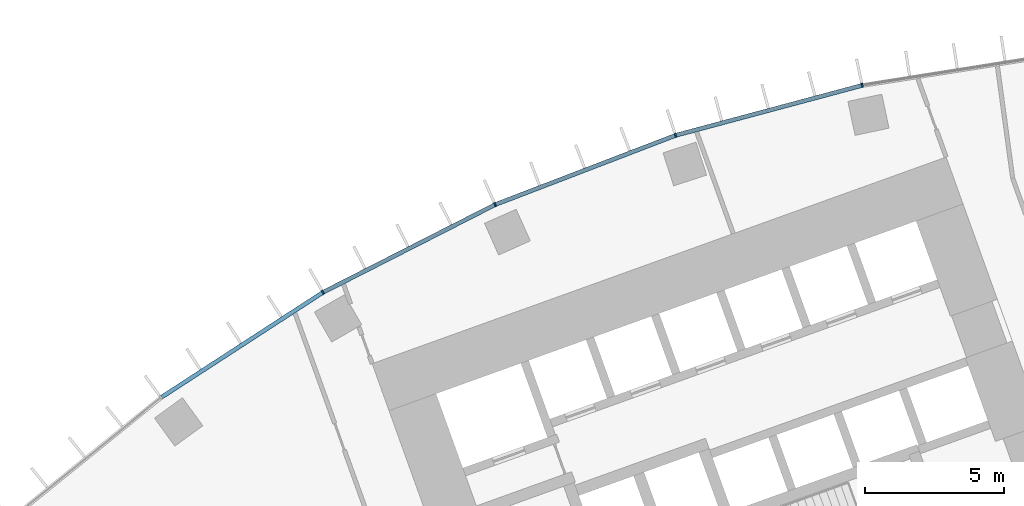
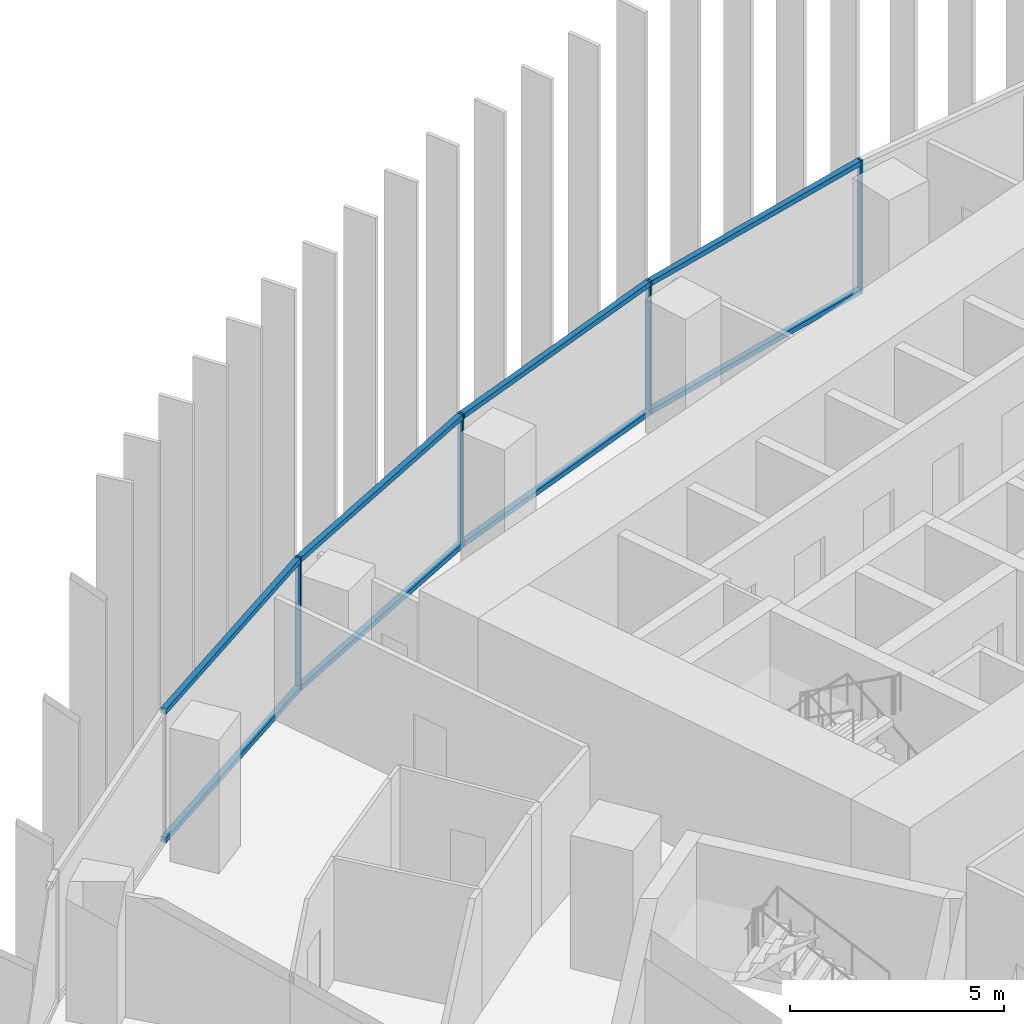
# One storey, part 7 of 24: 12 members, 1 element without a shape of its own.
"""IFC4 building model written with IfcOpenShell, lengths in metres."""

from ifc_helpers import new_model, si_unit, direction, frame, origin, origin_2d, place, context, subcontext, project, spatial, rectangle, extrude, material, layer, layer_set, material_profile, profile_set, type_object, element, aggregate, save


model = new_model("IFC4")

# Units and contexts
model_context = context("Model", 3, precision=1e-05, world=origin(), true_north=direction((0.0, 1.0)))
body_context = subcontext(model_context, "Body", "Model", "MODEL_VIEW")
ifc_project = project(units=[si_unit("LENGTHUNIT", "METRE"), si_unit("AREAUNIT", "SQUARE_METRE"), si_unit("VOLUMEUNIT", "CUBIC_METRE"), si_unit("PLANEANGLEUNIT", "RADIAN"), si_unit("MASSUNIT", "GRAM", prefix="KILO")], contexts=[model_context])

# Site, building, storey
site_placement = place(None, origin())
site = spatial("IfcSite", under=ifc_project, at=site_placement, CompositionType="ELEMENT")
building_placement = place(site_placement, origin())
building = spatial("IfcBuilding", under=site, at=building_placement, Name="Stone Belt Terrace Tower", CompositionType="ELEMENT")
storey_placement = place(building_placement, frame((0.0, 0.0, 41.39990234375)))
storey = spatial("IfcBuildingStorey", under=building, at=storey_placement, Name="L09", CompositionType="ELEMENT", Elevation=41.39990234375)

# Curtain wall, members
ifc_material = material(Name="Aluminium 6063-T6 anodised frame", Category="aluminium")
ifc_layer = layer(ifc_material, 0.14990234375)
ifc_layer_set = layer_set([ifc_layer], Name="CW-A unitised convex-face curtain wall")
curtain_wall_type = type_object("IfcCurtainWallType", Name="CW-A unitised convex-face curtain wall", PredefinedType="NOTDEFINED", material=ifc_layer_set)
curtain_wall_placement = place(storey_placement, origin())
curtain_wall = element("IfcCurtainWall", 1, at=curtain_wall_placement, inside=storey, type_object=curtain_wall_type, Name="CW-A convex face L09", PredefinedType="NOTDEFINED")
ifc_material_profile_1 = material_profile(ifc_material, rectangle(XDim=0.14990234375, YDim=0.06005859375, at=origin_2d()), Name="Aluminium 6063-T6 60x150")
ifc_profile_set_1 = profile_set([ifc_material_profile_1], Name="Aluminium 6063-T6 anodised frame")
member_type_1 = type_object("IfcMemberType", Name="CW-A mullion 60 x 150", PredefinedType="MULLION", material=ifc_profile_set_1)
member_1_placement = place(storey_placement, frame((-13.841796875, 65.120361328125, 0.0), z_axis=(0.0, 0.0, 1.0), x_axis=(0.207911690818, -0.978147600734, 0.0)))
member_1 = element("IfcMember", 2, at=member_1_placement, type_object=member_type_1, Name="CW-A mullion 12", PredefinedType="MULLION", context=body_context, shape_type="SweptSolid", body=[
    extrude(rectangle(XDim=0.14990234375, YDim=0.06005859375, at=origin_2d()), origin(), (0.0, 0.0, 1.0), 3.800048828125),
])
member_2_placement = place(storey_placement, frame((-20.57275390625, 63.316650390625, 0.0), z_axis=(0.0, 0.0, 1.0), x_axis=(0.309016994375, -0.951056516295, 0.0)))
member_2 = element("IfcMember", 3, at=member_2_placement, type_object=member_type_1, Name="CW-A mullion 13", PredefinedType="MULLION", context=body_context, shape_type="SweptSolid", body=[
    extrude(rectangle(XDim=0.14990234375, YDim=0.06005859375, at=origin_2d()), origin(), (0.0, 0.0, 1.0), 3.800048828125),
])
member_3_placement = place(storey_placement, frame((-27.07861328125, 60.8193359375, 0.0), z_axis=(0.0, 0.0, 1.0), x_axis=(0.406736643076, -0.913545457643, 0.0)))
member_3 = element("IfcMember", 4, at=member_3_placement, type_object=member_type_1, Name="CW-A mullion 14", PredefinedType="MULLION", context=body_context, shape_type="SweptSolid", body=[
    extrude(rectangle(XDim=0.14990234375, YDim=0.06005859375, at=origin_2d()), origin(), (0.0, 0.0, 1.0), 3.800048828125),
])
member_4_placement = place(storey_placement, frame((-33.28759765625, 57.65576171875, 0.0), z_axis=(0.0, 0.0, 1.0), x_axis=(0.5, -0.866025403784, 0.0)))
member_4 = element("IfcMember", 5, at=member_4_placement, type_object=member_type_1, Name="CW-A mullion 15", PredefinedType="MULLION", context=body_context, shape_type="SweptSolid", body=[
    extrude(rectangle(XDim=0.14990234375, YDim=0.06005859375, at=origin_2d()), origin(), (0.0, 0.0, 1.0), 3.800048828125),
])
ifc_material_profile_2 = material_profile(ifc_material, rectangle(XDim=0.14990234375, YDim=0.139892578125, at=origin_2d()), Name="Aluminium 6063-T6 150x140")
ifc_profile_set_2 = profile_set([ifc_material_profile_2], Name="Aluminium 6063-T6 anodised frame")
member_type_2 = type_object("IfcMemberType", Name="CW-A transom 140 x 150", PredefinedType="USERDEFINED", material=ifc_profile_set_2)
member_5_placement = place(storey_placement, frame((-13.87451171875, 65.111572265625, 0.070068359375), z_axis=(-0.965921835863, -0.258833937117, 0.0), x_axis=(0.258833937117, -0.965921835863, 0.0)))
member_5 = element("IfcMember", 6, at=member_5_placement, type_object=member_type_2, Name="CW-A transom 12.1", ObjectType="TRANSOM", PredefinedType="USERDEFINED", context=body_context, shape_type="SweptSolid", body=[
    extrude(rectangle(XDim=0.14990234375, YDim=0.139892578125, at=origin_2d()), origin(), (0.0, 0.0, 1.0), 6.900634765625),
])
member_6_placement = place(storey_placement, frame((-13.87451171875, 65.111572265625, 3.72998046875), z_axis=(-0.965921835863, -0.258833937117, 0.0), x_axis=(0.258833937117, -0.965921835863, 0.0)))
member_6 = element("IfcMember", 7, at=member_6_placement, type_object=member_type_2, Name="CW-A transom 12.2", ObjectType="TRANSOM", PredefinedType="USERDEFINED", context=body_context, shape_type="SweptSolid", body=[
    extrude(rectangle(XDim=0.14990234375, YDim=0.139892578125, at=origin_2d()), origin(), (0.0, 0.0, 1.0), 6.900634765625),
])
member_7_placement = place(storey_placement, frame((-20.6044921875, 63.304443359375, 0.070068359375), z_axis=(-0.933585210269, -0.358355487146, 0.0), x_axis=(0.358355487146, -0.933585210269, 0.0)))
member_7 = element("IfcMember", 8, at=member_7_placement, type_object=member_type_2, Name="CW-A transom 13.1", ObjectType="TRANSOM", PredefinedType="USERDEFINED", context=body_context, shape_type="SweptSolid", body=[
    extrude(rectangle(XDim=0.14990234375, YDim=0.139892578125, at=origin_2d()), origin(), (0.0, 0.0, 1.0), 6.900634765625),
])
member_8_placement = place(storey_placement, frame((-20.6044921875, 63.304443359375, 3.72998046875), z_axis=(-0.933585210269, -0.358355487146, 0.0), x_axis=(0.358355487146, -0.933585210269, 0.0)))
member_8 = element("IfcMember", 9, at=member_8_placement, type_object=member_type_2, Name="CW-A transom 13.2", ObjectType="TRANSOM", PredefinedType="USERDEFINED", context=body_context, shape_type="SweptSolid", body=[
    extrude(rectangle(XDim=0.14990234375, YDim=0.139892578125, at=origin_2d()), origin(), (0.0, 0.0, 1.0), 6.900634765625),
])
member_9_placement = place(storey_placement, frame((-27.108642578125, 60.803955078125, 0.070068359375), z_axis=(-0.891012226264, -0.453979308613, 0.0), x_axis=(0.453979308613, -0.891012226264, 0.0)))
member_9 = element("IfcMember", 10, at=member_9_placement, type_object=member_type_2, Name="CW-A transom 14.1", ObjectType="TRANSOM", PredefinedType="USERDEFINED", context=body_context, shape_type="SweptSolid", body=[
    extrude(rectangle(XDim=0.14990234375, YDim=0.139892578125, at=origin_2d()), origin(), (0.0, 0.0, 1.0), 6.90087890625),
])
member_10_placement = place(storey_placement, frame((-27.108642578125, 60.803955078125, 3.72998046875), z_axis=(-0.891012226264, -0.453979308613, 0.0), x_axis=(0.453979308613, -0.891012226264, 0.0)))
member_10 = element("IfcMember", 11, at=member_10_placement, type_object=member_type_2, Name="CW-A transom 14.2", ObjectType="TRANSOM", PredefinedType="USERDEFINED", context=body_context, shape_type="SweptSolid", body=[
    extrude(rectangle(XDim=0.14990234375, YDim=0.139892578125, at=origin_2d()), origin(), (0.0, 0.0, 1.0), 6.90087890625),
])
member_11_placement = place(storey_placement, frame((-33.31591796875, 57.63720703125, 0.070068359375), z_axis=(-0.83868440714, -0.544617723931, 0.0), x_axis=(0.544617723931, -0.83868440714, 0.0)))
member_11 = element("IfcMember", 12, at=member_11_placement, type_object=member_type_2, Name="CW-A transom 15.1", ObjectType="TRANSOM", PredefinedType="USERDEFINED", context=body_context, shape_type="SweptSolid", body=[
    extrude(rectangle(XDim=0.14990234375, YDim=0.139892578125, at=origin_2d()), origin(), (0.0, 0.0, 1.0), 6.90087890625),
])
member_12_placement = place(storey_placement, frame((-33.31591796875, 57.63720703125, 3.72998046875), z_axis=(-0.83868440714, -0.544617723931, 0.0), x_axis=(0.544617723931, -0.83868440714, 0.0)))
member_12 = element("IfcMember", 13, at=member_12_placement, type_object=member_type_2, Name="CW-A transom 15.2", ObjectType="TRANSOM", PredefinedType="USERDEFINED", context=body_context, shape_type="SweptSolid", body=[
    extrude(rectangle(XDim=0.14990234375, YDim=0.139892578125, at=origin_2d()), origin(), (0.0, 0.0, 1.0), 6.90087890625),
])
aggregate(curtain_wall, [member_1, member_2, member_3, member_4, member_5, member_6, member_7, member_8, member_9, member_10, member_11, member_12])

save(model, "model.ifc")
